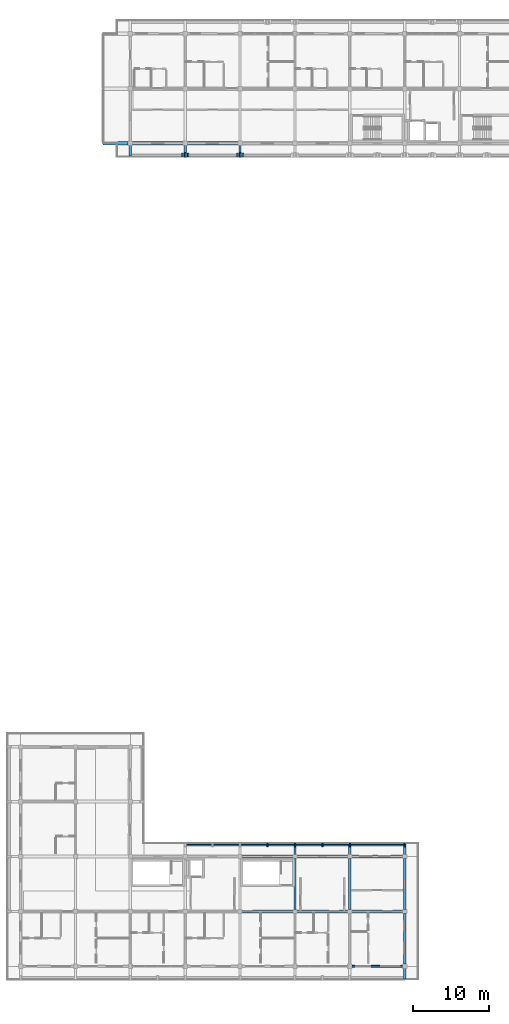
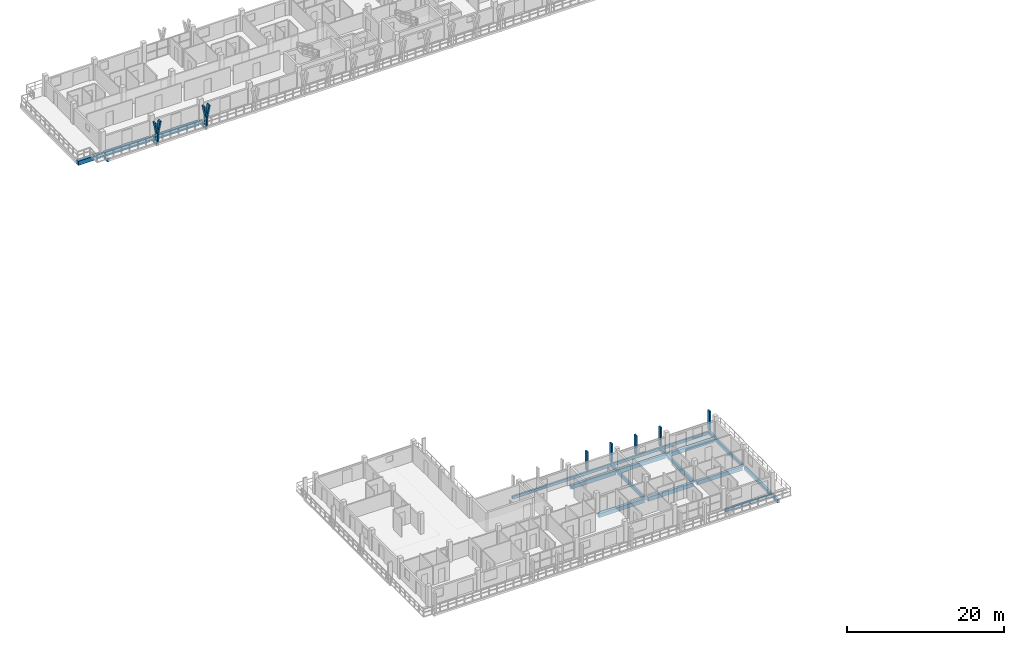
# One storey, part 7 of 65: 22 beams, 11 members.
"""IFC4 building model written with IfcOpenShell, lengths in metres."""

from ifc_helpers import new_model, si_unit, direction, frame, origin, origin_2d, place, context, subcontext, project, spatial, rectangle, extrude, material, material_profile, profile_set, type_object, element, save


model = new_model("IFC4")

# Units and contexts
model_context = context("Model", 3, precision=1e-05, world=origin(), true_north=direction((0.0, 1.0)))
body_context = subcontext(model_context, "Body", "Model", "MODEL_VIEW")
ifc_project = project(units=[si_unit("LENGTHUNIT", "METRE"), si_unit("AREAUNIT", "SQUARE_METRE"), si_unit("VOLUMEUNIT", "CUBIC_METRE"), si_unit("PLANEANGLEUNIT", "RADIAN"), si_unit("MASSUNIT", "GRAM", prefix="KILO")], contexts=[model_context])

# Site, building, storey
site_placement = place(None, origin())
site = spatial("IfcSite", under=ifc_project, at=site_placement, CompositionType="ELEMENT")
building_placement = place(site_placement, origin())
building = spatial("IfcBuilding", under=site, at=building_placement, Name="Suanplinth Sawtooth Commons", CompositionType="ELEMENT")
storey_placement = place(building_placement, frame((0.0, 0.0, 28.300048828125)))
storey = spatial("IfcBuildingStorey", under=building, at=storey_placement, Name="L08", CompositionType="ELEMENT", Elevation=28.300048828125)

# Beams
ifc_material_1 = material(Name="Precast concrete C40/50", Category="concrete")
ifc_material_profile_1 = material_profile(ifc_material_1, rectangle(XDim=0.449951171875, YDim=0.64990234375, at=origin_2d()), Name="PC-GDR 450x650")
ifc_profile_set_1 = profile_set([ifc_material_profile_1], Name="Precast concrete C40/50")
beam_type_1 = type_object("IfcBeamType", Name="B-04", PredefinedType="USERDEFINED", material=ifc_profile_set_1)
for number, where, z_axis, x_axis, name in (
    (1, (14.699951171875, 108.0, -0.53515625), (1.0, 0.0, 0.0), (0.0, 1.0, 0.0), "BMX-L08-A-2-15"),
    (2, (21.89990234375, 108.0, -0.53515625), (1.0, 0.0, 0.0), (0.0, 1.0, 0.0), "BMX-L08-A-3-15"),
):
    element("IfcBeam", number, at=place(storey_placement, frame(where, z_axis=z_axis, x_axis=x_axis)), inside=storey, type_object=beam_type_1, Name=name, ObjectType="GIRDER", PredefinedType="USERDEFINED", context=body_context, shape_type="SweptSolid", body=[
        extrude(rectangle(XDim=0.449951171875, YDim=0.64990234375, at=origin_2d()), origin(), (0.0, 0.0, 1.0), 6.60009765625),
    ])
beam_1_placement = place(storey_placement, frame((14.10009765625, 108.0, -0.53515625), z_axis=(-1.0, 0.0, 0.0), x_axis=(0.0, -1.0, 0.0)))
element("IfcBeam", 3, at=beam_1_placement, inside=storey, type_object=beam_type_1, Name="BMX-L08-A-WCANT-15", ObjectType="GIRDER", PredefinedType="USERDEFINED", context=body_context, shape_type="SweptSolid", body=[
    extrude(rectangle(XDim=0.449951171875, YDim=0.64990234375, at=origin_2d()), origin(), (0.0, 0.0, 1.0), 3.300048828125),
])
ifc_material_profile_2 = material_profile(ifc_material_1, rectangle(XDim=0.39990234375, YDim=0.60009765625, at=origin_2d()), Name="PC-GDR 400x600")
ifc_profile_set_2 = profile_set([ifc_material_profile_2], Name="Precast concrete C40/50")
beam_type_2 = type_object("IfcBeamType", Name="B-05", PredefinedType="USERDEFINED", material=ifc_profile_set_2)
for number, where, z_axis, x_axis, name in (
    (4, (29.074951171875, 7.199951171875, -0.510009765625), (1.0, 0.0, 0.0), (0.0, 1.0, 0.0), "BMX-L08-D-4-1"),
    (5, (29.074951171875, 14.39990234375, -0.510009765625), (1.0, 0.0, 0.0), (0.0, 1.0, 0.0), "BMX-L08-D-4-2"),
    (6, (36.27490234375, 7.199951171875, -0.510009765625), (1.0, 0.0, 0.0), (0.0, 1.0, 0.0), "BMX-L08-D-5-1"),
    (7, (36.27490234375, 14.39990234375, -0.510009765625), (1.0, 0.0, 0.0), (0.0, 1.0, 0.0), "BMX-L08-D-5-2"),
):
    element("IfcBeam", number, at=place(storey_placement, frame(where, z_axis=z_axis, x_axis=x_axis)), inside=storey, type_object=beam_type_2, Name=name, ObjectType="GIRDER", PredefinedType="USERDEFINED", context=body_context, shape_type="SweptSolid", body=[
        extrude(rectangle(XDim=0.39990234375, YDim=0.60009765625, at=origin_2d()), origin(), (0.0, 0.0, 1.0), 6.650146484375),
    ])
for number, where, z_axis, x_axis, name in (
    (8, (43.47509765625, 7.199951171875, -0.510009765625), (1.0, 0.0, 0.0), (0.0, 1.0, 0.0), "BMX-L08-D-6-1"),
    (9, (43.47509765625, 14.39990234375, -0.510009765625), (1.0, 0.0, 0.0), (0.0, 1.0, 0.0), "BMX-L08-D-6-2"),
):
    element("IfcBeam", number, at=place(storey_placement, frame(where, z_axis=z_axis, x_axis=x_axis)), inside=storey, type_object=beam_type_2, Name=name, ObjectType="GIRDER", PredefinedType="USERDEFINED", context=body_context, shape_type="SweptSolid", body=[
        extrude(rectangle(XDim=0.39990234375, YDim=0.60009765625, at=origin_2d()), origin(), (0.0, 0.0, 1.0), 6.64990234375),
    ])
ifc_material_profile_3 = material_profile(ifc_material_1, rectangle(XDim=0.300048828125, YDim=0.5, at=origin_2d()), Name="PC-BM 300x500")
ifc_profile_set_3 = profile_set([ifc_material_profile_3], Name="Precast concrete C40/50")
beam_type_3 = type_object("IfcBeamType", Name="B-07", PredefinedType="BEAM", material=ifc_profile_set_3)
for number, where, z_axis, x_axis, name in (
    (10, (36.0, 7.47509765625, -0.4599609375), (0.0, 1.0, 0.0), (-1.0, 0.0, 0.0), "BMY-L08-D-5-1"),
    (11, (43.199951171875, 7.47509765625, -0.4599609375), (0.0, 1.0, 0.0), (-1.0, 0.0, 0.0), "BMY-L08-D-6-1"),
):
    element("IfcBeam", number, at=place(storey_placement, frame(where, z_axis=z_axis, x_axis=x_axis)), inside=storey, type_object=beam_type_3, Name=name, PredefinedType="BEAM", context=body_context, shape_type="SweptSolid", body=[
        extrude(rectangle(XDim=0.300048828125, YDim=0.5, at=origin_2d()), origin(), (0.0, 0.0, 1.0), 6.64990234375),
    ])
beam_2_placement = place(storey_placement, frame((50.39990234375, 0.27490234375, -0.4599609375), z_axis=(0.0, 1.0, 0.0), x_axis=(-1.0, 0.0, 0.0)))
element("IfcBeam", 12, at=beam_2_placement, inside=storey, type_object=beam_type_3, Name="BMY-L08-D-7-0", PredefinedType="BEAM", context=body_context, shape_type="SweptSolid", body=[
    extrude(rectangle(XDim=0.300048828125, YDim=0.5, at=origin_2d()), origin(), (0.0, 0.0, 1.0), 6.650146484375),
])
beam_3_placement = place(storey_placement, frame((50.39990234375, 7.47509765625, -0.4599609375), z_axis=(0.0, 1.0, 0.0), x_axis=(-1.0, 0.0, 0.0)))
element("IfcBeam", 13, at=beam_3_placement, inside=storey, type_object=beam_type_3, Name="BMY-L08-D-7-1", PredefinedType="BEAM", context=body_context, shape_type="SweptSolid", body=[
    extrude(rectangle(XDim=0.300048828125, YDim=0.5, at=origin_2d()), origin(), (0.0, 0.0, 1.0), 6.64990234375),
])
for number, where, z_axis, x_axis, name in (
    (14, (14.39990234375, 108.0, -0.429931640625), (0.0, -1.0, 0.0), (1.0, 0.0, 0.0), "Balcony Outrigger L08-A-S-2"),
    (15, (21.60009765625, 108.0, -0.429931640625), (0.0, -1.0, 0.0), (1.0, 0.0, 0.0), "Balcony Outrigger L08-A-S-3"),
    (16, (28.800048828125, 108.0, -0.429931640625), (0.0, -1.0, 0.0), (1.0, 0.0, 0.0), "Balcony Outrigger L08-A-S-4"),
    (17, (50.39990234375, 0.0, -0.429931640625), (0.0, -1.0, 0.0), (1.0, 0.0, 0.0), "Balcony Outrigger L08-D-S-7"),
):
    element("IfcBeam", number, at=place(storey_placement, frame(where, z_axis=z_axis, x_axis=x_axis)), inside=storey, type_object=beam_type_3, Name=name, PredefinedType="BEAM", context=body_context, shape_type="SweptSolid", body=[
        extrude(rectangle(XDim=0.300048828125, YDim=0.5, at=origin_2d()), origin(), (0.0, 0.0, 1.0), 1.639892578125),
    ])
for number, where, z_axis, x_axis, name in (
    (18, (36.0, 14.39990234375, -0.425048828125), (0.0, 1.0, 0.0), (-1.0, 0.0, 0.0), "Balcony Outrigger L08-D-NC-5"),
    (19, (43.199951171875, 14.39990234375, -0.425048828125), (0.0, 1.0, 0.0), (-1.0, 0.0, 0.0), "Balcony Outrigger L08-D-NC-6"),
    (20, (50.39990234375, 14.39990234375, -0.425048828125), (0.0, 1.0, 0.0), (-1.0, 0.0, 0.0), "Balcony Outrigger L08-D-NC-7"),
):
    element("IfcBeam", number, at=place(storey_placement, frame(where, z_axis=z_axis, x_axis=x_axis)), inside=storey, type_object=beam_type_3, Name=name, PredefinedType="BEAM", context=body_context, shape_type="SweptSolid", body=[
        extrude(rectangle(XDim=0.300048828125, YDim=0.5, at=origin_2d()), origin(), (0.0, 0.0, 1.0), 1.64013671875),
    ])
ifc_material_profile_4 = material_profile(ifc_material_1, rectangle(XDim=0.25, YDim=0.449951171875, at=origin_2d()), Name="PC-SP 250x450")
ifc_profile_set_4 = profile_set([ifc_material_profile_4], Name="Precast concrete C40/50")
beam_type_4 = type_object("IfcBeamType", Name="B-09", PredefinedType="SPANDREL", material=ifc_profile_set_4)
beam_4_placement = place(storey_placement, frame((43.47509765625, 0.0, -0.43505859375), z_axis=(1.0, 0.0, 0.0), x_axis=(0.0, 1.0, 0.0)))
element("IfcBeam", 21, at=beam_4_placement, inside=storey, type_object=beam_type_4, Name="BMX-L08-D-6-0", PredefinedType="SPANDREL", context=body_context, shape_type="SweptSolid", body=[
    extrude(rectangle(XDim=0.25, YDim=0.449951171875, at=origin_2d()), origin(), (0.0, 0.0, 1.0), 6.64990234375),
])
beam_5_placement = place(storey_placement, frame((21.449951171875, 15.919921875, -0.400146484375), z_axis=(1.0, 0.0, 0.0), x_axis=(0.0, 1.0, 0.0)))
element("IfcBeam", 22, at=beam_5_placement, inside=storey, type_object=beam_type_4, Name="Balcony Edge Fascia L08-D-NC", PredefinedType="SPANDREL", context=body_context, shape_type="SweptSolid", body=[
    extrude(rectangle(XDim=0.25, YDim=0.449951171875, at=origin_2d()), origin(), (0.0, 0.0, 1.0), 29.10009765625),
])

# Members
ifc_material_2 = material(Name="Pigmented precast concrete C40/50", Category="concrete")
ifc_material_profile_5 = material_profile(ifc_material_2, rectangle(XDim=0.260009765625, YDim=0.550048828125, at=origin_2d()), Name="PC-FIN 260x550")
ifc_profile_set_5 = profile_set([ifc_material_profile_5], Name="Pigmented precast concrete C40/50")
member_type_1 = type_object("IfcMemberType", Name="M-09", PredefinedType="USERDEFINED", material=ifc_profile_set_5)
for number, where, z_axis, x_axis, name in (
    (23, (21.60009765625, 106.47998046875, 0.0), (0.0, 0.0, 1.0), (1.0, 0.0, 0.0), "Y-Blade Stem L08-A-S-07"),
    (24, (28.800048828125, 106.47998046875, 0.0), (0.0, 0.0, 1.0), (1.0, 0.0, 0.0), "Y-Blade Stem L08-A-S-08"),
):
    element("IfcMember", number, at=place(storey_placement, frame(where, z_axis=z_axis, x_axis=x_axis)), inside=storey, type_object=member_type_1, Name=name, ObjectType="SHADING FIN", PredefinedType="USERDEFINED", context=body_context, shape_type="SweptSolid", body=[
        extrude(rectangle(XDim=0.260009765625, YDim=0.550048828125, at=origin_2d()), origin(), (0.0, 0.0, 1.0), 1.169921875),
    ])
ifc_material_profile_6 = material_profile(ifc_material_2, rectangle(XDim=0.219970703125, YDim=0.550048828125, at=origin_2d()), Name="PC-FIN 220x550")
ifc_profile_set_6 = profile_set([ifc_material_profile_6], Name="Pigmented precast concrete C40/50")
member_type_2 = type_object("IfcMemberType", Name="M-10", PredefinedType="USERDEFINED", material=ifc_profile_set_6)
member_1_placement = place(storey_placement, frame((21.60009765625, 106.47998046875, 1.1298828125), z_axis=(-0.196406855569, 0.0, 0.980522486782), x_axis=(0.980522486782, 0.0, 0.196406855569)))
element("IfcMember", 25, at=member_1_placement, inside=storey, type_object=member_type_2, Name="Y-Blade Arm L L08-A-S-07", ObjectType="SHADING FIN", PredefinedType="USERDEFINED", context=body_context, shape_type="SweptSolid", body=[
    extrude(rectangle(XDim=0.219970703125, YDim=0.550048828125, at=origin_2d()), origin(), (0.0, 0.0, 1.0), 1.93798828125),
])
member_2_placement = place(storey_placement, frame((21.60009765625, 106.47998046875, 1.1298828125), z_axis=(0.196285728346, 0.0, 0.980546741796), x_axis=(-0.980546741796, 0.0, 0.196285728346)))
element("IfcMember", 26, at=member_2_placement, inside=storey, type_object=member_type_2, Name="Y-Blade Arm R L08-A-S-07", ObjectType="SHADING FIN", PredefinedType="USERDEFINED", context=body_context, shape_type="SweptSolid", body=[
    extrude(rectangle(XDim=0.219970703125, YDim=0.550048828125, at=origin_2d()), origin(), (0.0, 0.0, 1.0), 1.937744140625),
])
member_3_placement = place(storey_placement, frame((28.800048828125, 106.47998046875, 1.1298828125), z_axis=(-0.196406855569, 0.0, 0.980522486782), x_axis=(0.980522486782, 0.0, 0.196406855569)))
element("IfcMember", 27, at=member_3_placement, inside=storey, type_object=member_type_2, Name="Y-Blade Arm L L08-A-S-08", ObjectType="SHADING FIN", PredefinedType="USERDEFINED", context=body_context, shape_type="SweptSolid", body=[
    extrude(rectangle(XDim=0.219970703125, YDim=0.550048828125, at=origin_2d()), origin(), (0.0, 0.0, 1.0), 1.93798828125),
])
member_4_placement = place(storey_placement, frame((28.800048828125, 106.47998046875, 1.1298828125), z_axis=(0.196285728346, 0.0, 0.980546741796), x_axis=(-0.980546741796, 0.0, 0.196285728346)))
element("IfcMember", 28, at=member_4_placement, inside=storey, type_object=member_type_2, Name="Y-Blade Arm R L08-A-S-08", ObjectType="SHADING FIN", PredefinedType="USERDEFINED", context=body_context, shape_type="SweptSolid", body=[
    extrude(rectangle(XDim=0.219970703125, YDim=0.550048828125, at=origin_2d()), origin(), (0.0, 0.0, 1.0), 1.937744140625),
])
ifc_material_profile_7 = material_profile(ifc_material_2, rectangle(XDim=0.2099609375, YDim=0.52001953125, at=origin_2d()), Name="PC-FIN 210x520")
ifc_profile_set_7 = profile_set([ifc_material_profile_7], Name="Pigmented precast concrete C40/50")
member_type_3 = type_object("IfcMemberType", Name="M-12", PredefinedType="USERDEFINED", material=ifc_profile_set_7)
for number, where, z_axis, x_axis, name in (
    (29, (32.39990234375, 15.919921875, 0.0), (0.0, 0.0, 1.0), (1.0, 0.0, 0.0), "Upright Solar Blade L08-D-NC-16"),
    (30, (36.0, 15.919921875, 0.0), (0.0, 0.0, 1.0), (1.0, 0.0, 0.0), "Upright Solar Blade L08-D-NC-17"),
    (31, (39.60009765625, 15.919921875, 0.0), (0.0, 0.0, 1.0), (1.0, 0.0, 0.0), "Upright Solar Blade L08-D-NC-18"),
    (32, (43.199951171875, 15.919921875, 0.0), (0.0, 0.0, 1.0), (1.0, 0.0, 0.0), "Upright Solar Blade L08-D-NC-19"),
    (33, (50.39990234375, 15.919921875, 0.0), (0.0, 0.0, 1.0), (1.0, 0.0, 0.0), "Upright Solar Blade L08-D-NC-20"),
):
    element("IfcMember", number, at=place(storey_placement, frame(where, z_axis=z_axis, x_axis=x_axis)), inside=storey, type_object=member_type_3, Name=name, ObjectType="SHADING FIN", PredefinedType="USERDEFINED", context=body_context, shape_type="SweptSolid", body=[
        extrude(rectangle(XDim=0.2099609375, YDim=0.52001953125, at=origin_2d()), origin(), (0.0, 0.0, 1.0), 2.969970703125),
    ])

save(model, "model.ifc")
